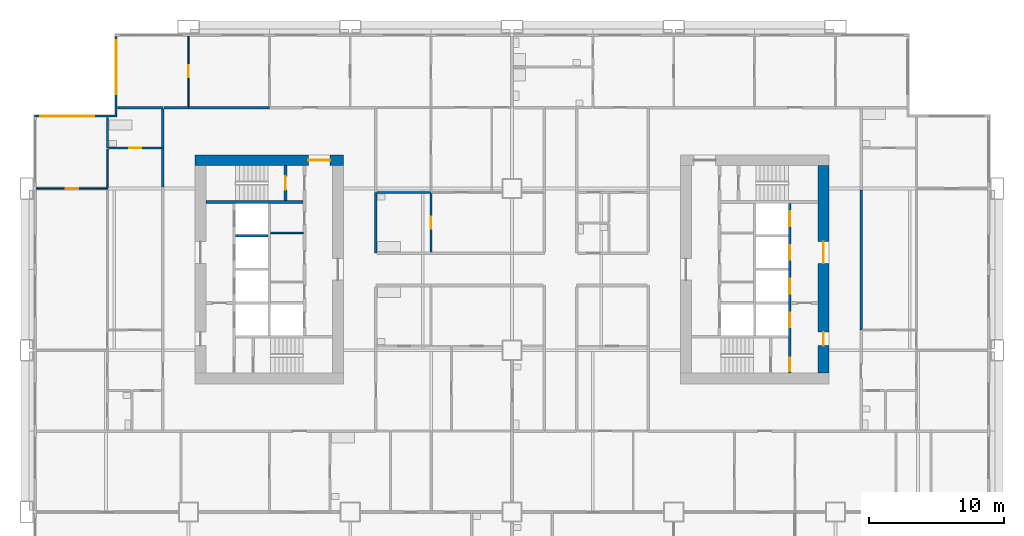
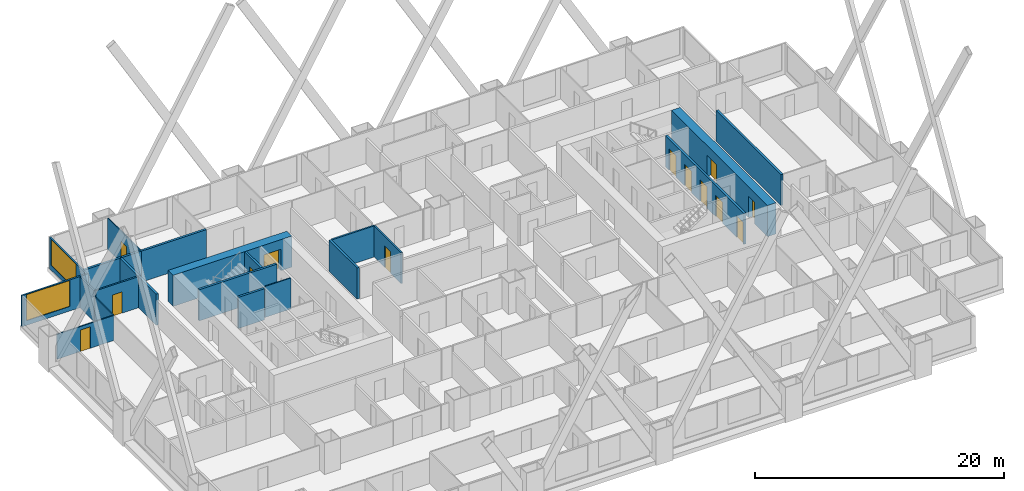
# One storey, part 7 of 13: 23 walls, 13 doors, 2 windows, 15 openings.
"""IFC4 building model written with IfcOpenShell, lengths in metres."""

from ifc_helpers import new_model, si_unit, direction, frame, frame_2d, origin, place, context, subcontext, project, spatial, rectangle, extrude, material, layer, layer_set, type_object, element, fill, save


model = new_model("IFC4")

# Units and contexts
model_context = context("Model", 3, precision=1e-05, world=origin(), true_north=direction((0.0, 1.0)))
body_context = subcontext(model_context, "Body", "Model", "MODEL_VIEW")
ifc_project = project(units=[si_unit("LENGTHUNIT", "METRE"), si_unit("AREAUNIT", "SQUARE_METRE"), si_unit("VOLUMEUNIT", "CUBIC_METRE"), si_unit("PLANEANGLEUNIT", "RADIAN"), si_unit("MASSUNIT", "GRAM", prefix="KILO")], contexts=[model_context])

# Site, building, storey
site_placement = place(None, origin())
site = spatial("IfcSite", under=ifc_project, at=site_placement, CompositionType="ELEMENT")
building_placement = place(site_placement, origin())
building = spatial("IfcBuilding", under=site, at=building_placement, Name="Kitamizu Gate Tower and Museum", CompositionType="ELEMENT")
storey_placement = place(building_placement, frame((0.0, 0.0, 71.39990234375)))
storey = spatial("IfcBuildingStorey", under=building, at=storey_placement, Name="L17", CompositionType="ELEMENT", Elevation=71.39990234375)

# Wall, opening, door
ifc_material_1 = material(Name="Concrete Fc60", Category="concrete")
ifc_layer_1 = layer(ifc_material_1, 0.800048828125)
ifc_layer_set_1 = layer_set([ifc_layer_1], Name="Concrete Fc60")
wall_type_1 = type_object("IfcWallType", Name="Core wall 800", PredefinedType="SHEAR", material=ifc_layer_set_1)
wall_1_placement = place(storey_placement, frame((12.5, 38.10009765625, 0.0), z_axis=(0.0, 0.0, 1.0), x_axis=(1.0, 0.0, 0.0)))
wall_1 = element("IfcWall", 1, at=wall_1_placement, inside=storey, type_object=wall_type_1, Name="Core wall WN", PredefinedType="SHEAR", context=body_context, shape_type="SweptSolid", body=[
    extrude(rectangle(XDim=11.0, YDim=0.800048828125, at=frame_2d((5.5, 0.0))), origin(), (0.0, 0.0, 1.0), 3.050048828125),
])
opening_1_placement = place(wall_1_placement, frame((8.39990234375, 0.0, 0.0)))
opening_1 = element("IfcOpeningElement", 2, at=opening_1_placement, cuts=wall_1, Name="Opening L17-078", PredefinedType="OPENING", context=body_context, shape_type="SweptSolid", body=[
    extrude(rectangle(XDim=1.60009765625, YDim=2.10009765625, at=frame_2d((0.800048828125, 1.050048828125))), frame((0.0, 0.41015625, 0.0), z_axis=(0.0, -1.0, 0.0), x_axis=(1.0, 0.0, 0.0)), (0.0, 0.0, 1.0), 0.820068359375),
])
ifc_material_2 = material(Name="Timber door set", Category="wood")
door_type_1 = type_object("IfcDoorType", Name="Entrance door 1600", OperationType="DOUBLE_DOOR_SINGLE_SWING", PredefinedType="DOOR", material=ifc_material_2)
door_1_placement = place(opening_1_placement, origin())
door_1 = element("IfcDoor", 3, at=door_1_placement, inside=storey, type_object=door_type_1, Name="Lobby door L17-078", OperationType="DOUBLE_DOOR_SINGLE_SWING", OverallHeight=2.10009765625, OverallWidth=1.60009765625, PredefinedType="DOOR", context=body_context, shape_type="SweptSolid", body=[
    extrude(rectangle(XDim=1.60009765625, YDim=2.10009765625, at=frame_2d((0.800048828125, 1.050048828125))), frame((0.0, 0.02490234375, 0.0), z_axis=(0.0, -1.0, 0.0), x_axis=(1.0, 0.0, 0.0)), (0.0, 0.0, 1.0), 0.050048828125),
])
fill(opening_1, door_1)

# Wall, openings, doors
wall_2_placement = place(storey_placement, frame((59.10009765625, 22.300048828125, 0.0), z_axis=(0.0, 0.0, 1.0), x_axis=(0.0, 1.0, 0.0)))
wall_2 = element("IfcWall", 4, at=wall_2_placement, inside=storey, type_object=wall_type_1, Name="Core wall EOUT", PredefinedType="SHEAR", context=body_context, shape_type="SweptSolid", body=[
    extrude(rectangle(XDim=15.39990234375, YDim=0.800048828125, at=frame_2d((7.699951171875, 0.0))), origin(), (0.0, 0.0, 1.0), 3.050048828125),
])
opening_2_placement = place(wall_2_placement, frame((8.14990234375, 0.0, 0.0)))
opening_2 = element("IfcOpeningElement", 5, at=opening_2_placement, cuts=wall_2, Name="Opening L17-088", PredefinedType="OPENING", context=body_context, shape_type="SweptSolid", body=[
    extrude(rectangle(XDim=1.60009765625, YDim=2.10009765625, at=frame_2d((0.800048828125, 1.050048828125))), frame((0.0, 0.41015625, 0.0), z_axis=(0.0, -1.0, 0.0), x_axis=(1.0, 0.0, 0.0)), (0.0, 0.0, 1.0), 0.820068359375),
])
opening_3_placement = place(wall_2_placement, frame((2.050048828125, 0.0, 0.0)))
opening_3 = element("IfcOpeningElement", 6, at=opening_3_placement, cuts=wall_2, Name="Opening L17-089", PredefinedType="OPENING", context=body_context, shape_type="SweptSolid", body=[
    extrude(rectangle(XDim=1.0, YDim=2.10009765625, at=frame_2d((0.5, 1.050048828125))), frame((0.0, 0.41015625, 0.0), z_axis=(0.0, -1.0, 0.0), x_axis=(1.0, 0.0, 0.0)), (0.0, 0.0, 1.0), 0.820068359375),
])
door_2_placement = place(opening_2_placement, origin())
door_2 = element("IfcDoor", 7, at=door_2_placement, inside=storey, type_object=door_type_1, Name="Lobby door L17-088", OperationType="DOUBLE_DOOR_SINGLE_SWING", OverallHeight=2.10009765625, OverallWidth=1.60009765625, PredefinedType="DOOR", context=body_context, shape_type="SweptSolid", body=[
    extrude(rectangle(XDim=1.60009765625, YDim=2.10009765625, at=frame_2d((0.800048828125, 1.050048828125))), frame((0.0, 0.02490234375, 0.0), z_axis=(0.0, -1.0, 0.0), x_axis=(1.0, 0.0, 0.0)), (0.0, 0.0, 1.0), 0.050048828125),
])
fill(opening_2, door_2)
ifc_material_3 = material(Name="Hollow metal door set")
door_type_2 = type_object("IfcDoorType", Name="Fire door 1000", OperationType="NOTDEFINED", PredefinedType="DOOR", material=ifc_material_3)
door_3_placement = place(opening_3_placement, origin())
door_3 = element("IfcDoor", 8, at=door_3_placement, inside=storey, type_object=door_type_2, Name="Fire-fighting lobby door L17-089", OperationType="SINGLE_SWING_RIGHT", OverallHeight=2.10009765625, OverallWidth=1.0, PredefinedType="DOOR", context=body_context, shape_type="SweptSolid", body=[
    extrude(rectangle(XDim=1.0, YDim=2.10009765625, at=frame_2d((0.5, 1.050048828125))), frame((0.0, 0.02490234375, 0.0), z_axis=(0.0, -1.0, 0.0), x_axis=(1.0, 0.0, 0.0)), (0.0, 0.0, 1.0), 0.050048828125),
])
fill(opening_3, door_3)

# Wall
ifc_material_4 = material(Name="Gypsum board on galvanised stud")
ifc_layer_2 = layer(ifc_material_4, 0.10009765625)
ifc_layer_set_2 = layer_set([ifc_layer_2], Name="Gypsum board on galvanised stud")
wall_type_2 = type_object("IfcWallType", Name="Partition 100", PredefinedType="PARTITIONING", material=ifc_layer_set_2)
wall_3_placement = place(storey_placement, frame((18.10009765625, 32.7099609375, 0.0), z_axis=(0.0, 0.0, 1.0), x_axis=(1.0, 0.0, 0.0)))
element("IfcWall", 9, at=wall_3_placement, inside=storey, type_object=wall_type_2, Name="Partition WPF2", PredefinedType="PARTITIONING", context=body_context, shape_type="SweptSolid", body=[
    extrude(rectangle(XDim=2.39990234375, YDim=0.10009765625, at=frame_2d((1.199951171875, 0.0))), origin(), (0.0, 0.0, 1.0), 3.050048828125),
])

# Wall, opening, door
ifc_material_5 = material(Name="Gypsum board on galvanised stud")
ifc_layer_3 = layer(ifc_material_5, 0.10009765625)
ifc_layer_set_3 = layer_set([ifc_layer_3], Name="Gypsum board on galvanised stud")
wall_type_3 = type_object("IfcWallType", Name="Partition 100 NOT RATED", PredefinedType="PARTITIONING", material=ifc_layer_set_3)
wall_4_placement = place(storey_placement, frame((6.0, 36.0, 0.0), z_axis=(0.0, 0.0, 1.0), x_axis=(-1.0, 0.0, 0.0)))
wall_4 = element("IfcWall", 10, at=wall_4_placement, inside=storey, type_object=wall_type_3, Name="Partition L17-057", PredefinedType="PARTITIONING", context=body_context, shape_type="SweptSolid", body=[
    extrude(rectangle(XDim=5.280029296875, YDim=0.10009765625, at=frame_2d((2.64013671875, 0.0))), origin(), (0.0, 0.0, 1.0), 2.4501953125),
])
opening_4_placement = place(wall_4_placement, frame((2.18994140625, 0.0, 0.0)))
opening_4 = element("IfcOpeningElement", 11, at=opening_4_placement, cuts=wall_4, Name="Opening L17-022", PredefinedType="OPENING", context=body_context, shape_type="SweptSolid", body=[
    extrude(rectangle(XDim=0.89990234375, YDim=2.10009765625, at=frame_2d((0.449951171875, 1.050048828125))), frame((0.0, 0.06005859375, 0.0), z_axis=(0.0, -1.0, 0.0), x_axis=(1.0, 0.0, 0.0)), (0.0, 0.0, 1.0), 0.1201171875),
])
ifc_material_6 = material(Name="Timber door set", Category="wood")
door_type_3 = type_object("IfcDoorType", Name="Room door 900", OperationType="NOTDEFINED", PredefinedType="DOOR", material=ifc_material_6)
door_4_placement = place(opening_4_placement, frame((0.89990234375, 0.0, 0.0), x_axis=(-1.0, 0.0, 0.0)))
door_4 = element("IfcDoor", 12, at=door_4_placement, inside=storey, type_object=door_type_3, Name="Door L17-022", OperationType="SINGLE_SWING_RIGHT", OverallHeight=2.10009765625, OverallWidth=0.89990234375, PredefinedType="DOOR", context=body_context, shape_type="SweptSolid", body=[
    extrude(rectangle(XDim=0.89990234375, YDim=2.10009765625, at=frame_2d((0.449951171875, 1.050048828125))), frame((0.0, 0.02490234375, 0.0), z_axis=(0.0, -1.0, 0.0), x_axis=(1.0, 0.0, 0.0)), (0.0, 0.0, 1.0), 0.050048828125),
])
fill(opening_4, door_4)

# Wall
wall_5_placement = place(storey_placement, frame((6.0, 36.050048828125, 0.0), z_axis=(0.0, 0.0, 1.0), x_axis=(0.0, 1.0, 0.0)))
element("IfcWall", 13, at=wall_5_placement, inside=storey, type_object=wall_type_3, Name="Partition L17-060", PredefinedType="PARTITIONING", context=body_context, shape_type="SweptSolid", body=[
    extrude(rectangle(XDim=2.875, YDim=0.10009765625, at=frame_2d((1.4375, 0.0))), origin(), (0.0, 0.0, 1.0), 2.4501953125),
])

# Wall, opening, door
wall_6_placement = place(storey_placement, frame((12.0, 42.10009765625, 0.0), z_axis=(0.0, 0.0, 1.0), x_axis=(0.0, 1.0, 0.0)))
wall_6 = element("IfcWall", 14, at=wall_6_placement, inside=storey, type_object=wall_type_3, Name="Partition L17-140", PredefinedType="PARTITIONING", context=body_context, shape_type="SweptSolid", body=[
    extrude(rectangle(XDim=5.179931640625, YDim=0.10009765625, at=frame_2d((2.58984375, 0.0))), origin(), (0.0, 0.0, 1.0), 3.050048828125),
])
opening_5_placement = place(wall_6_placement, frame((2.139892578125, 0.0, 0.0)))
opening_5 = element("IfcOpeningElement", 15, at=opening_5_placement, cuts=wall_6, Name="Opening L17-059", PredefinedType="OPENING", context=body_context, shape_type="SweptSolid", body=[
    extrude(rectangle(XDim=0.89990234375, YDim=2.10009765625, at=frame_2d((0.449951171875, 1.050048828125))), frame((0.0, 0.06005859375, 0.0), z_axis=(0.0, -1.0, 0.0), x_axis=(1.0, 0.0, 0.0)), (0.0, 0.0, 1.0), 0.1201171875),
])
door_5_placement = place(opening_5_placement, origin())
door_5 = element("IfcDoor", 16, at=door_5_placement, inside=storey, type_object=door_type_3, Name="Door L17-059", OperationType="SINGLE_SWING_RIGHT", OverallHeight=2.10009765625, OverallWidth=0.89990234375, PredefinedType="DOOR", context=body_context, shape_type="SweptSolid", body=[
    extrude(rectangle(XDim=0.89990234375, YDim=2.10009765625, at=frame_2d((0.449951171875, 1.050048828125))), frame((0.0, 0.02490234375, 0.0), z_axis=(0.0, -1.0, 0.0), x_axis=(1.0, 0.0, 0.0)), (0.0, 0.0, 1.0), 0.050048828125),
])
fill(opening_5, door_5)

# Wall
ifc_material_7 = material(Name="Gypsum board on galvanised stud")
ifc_layer_4 = layer(ifc_material_7, 0.14990234375)
ifc_layer_set_4 = layer_set([ifc_layer_4], Name="Gypsum board on galvanised stud")
wall_type_4 = type_object("IfcWallType", Name="Partition 150", PredefinedType="PARTITIONING", material=ifc_layer_set_4)
wall_7_placement = place(storey_placement, frame((6.0, 39.0, 0.0), z_axis=(0.0, 0.0, 1.0), x_axis=(0.0, 1.0, 0.0)))
element("IfcWall", 17, at=wall_7_placement, inside=storey, type_object=wall_type_4, Name="Partition L17-061", PredefinedType="PARTITIONING", context=body_context, shape_type="SweptSolid", body=[
    extrude(rectangle(XDim=2.280029296875, YDim=0.14990234375, at=frame_2d((1.14013671875, 0.0))), origin(), (0.0, 0.0, 1.0), 3.050048828125),
])

# Wall, opening, door
wall_8_placement = place(storey_placement, frame((10.0, 39.0, 0.0), z_axis=(0.0, 0.0, 1.0), x_axis=(-1.0, 0.0, 0.0)))
wall_8 = element("IfcWall", 18, at=wall_8_placement, inside=storey, type_object=wall_type_4, Name="Partition L17-069", PredefinedType="PARTITIONING", context=body_context, shape_type="SweptSolid", body=[
    extrude(rectangle(XDim=3.925048828125, YDim=0.14990234375, at=frame_2d((1.96240234375, 0.0))), origin(), (0.0, 0.0, 1.0), 3.050048828125),
])
opening_6_placement = place(wall_8_placement, frame((1.512451171875, 0.0, 0.0)))
opening_6 = element("IfcOpeningElement", 19, at=opening_6_placement, cuts=wall_8, Name="Opening L17-025", PredefinedType="OPENING", context=body_context, shape_type="SweptSolid", body=[
    extrude(rectangle(XDim=0.89990234375, YDim=2.10009765625, at=frame_2d((0.449951171875, 1.050048828125))), frame((0.0, 0.0849609375, 0.0), z_axis=(0.0, -1.0, 0.0), x_axis=(1.0, 0.0, 0.0)), (0.0, 0.0, 1.0), 0.169921875),
])
ifc_material_8 = material(Name="Timber door set", Category="wood")
door_type_4 = type_object("IfcDoorType", Name="Bathroom door 900", OperationType="NOTDEFINED", PredefinedType="DOOR", material=ifc_material_8)
door_6_placement = place(opening_6_placement, frame((0.89990234375, 0.0, 0.0), x_axis=(-1.0, 0.0, 0.0)))
door_6 = element("IfcDoor", 20, at=door_6_placement, inside=storey, type_object=door_type_4, Name="Bathroom door L17-025", OperationType="SINGLE_SWING_LEFT", OverallHeight=2.10009765625, OverallWidth=0.89990234375, PredefinedType="DOOR", context=body_context, shape_type="SweptSolid", body=[
    extrude(rectangle(XDim=0.89990234375, YDim=2.10009765625, at=frame_2d((0.449951171875, 1.050048828125))), frame((0.0, 0.02490234375, 0.0), z_axis=(0.0, -1.0, 0.0), x_axis=(1.0, 0.0, 0.0)), (0.0, 0.0, 1.0), 0.050048828125),
])
fill(opening_6, door_6)

# Wall
wall_9_placement = place(storey_placement, frame((26.0, 35.699951171875, 0.0), z_axis=(0.0, 0.0, 1.0), x_axis=(1.0, 0.0, 0.0)))
element("IfcWall", 21, at=wall_9_placement, inside=storey, type_object=wall_type_4, Name="Partition L17-155", PredefinedType="PARTITIONING", context=body_context, shape_type="SweptSolid", body=[
    extrude(rectangle(XDim=4.0, YDim=0.14990234375, at=frame_2d((2.0, 0.0))), origin(), (0.0, 0.0, 1.0), 3.050048828125),
])

# Wall, opening, door
wall_10_placement = place(storey_placement, frame((30.0, 31.300048828125, 0.0), z_axis=(0.0, 0.0, 1.0), x_axis=(0.0, 1.0, 0.0)))
wall_10 = element("IfcWall", 22, at=wall_10_placement, inside=storey, type_object=wall_type_4, Name="Partition L17-165", PredefinedType="PARTITIONING", context=body_context, shape_type="SweptSolid", body=[
    extrude(rectangle(XDim=4.324951171875, YDim=0.14990234375, at=frame_2d((2.16259765625, 0.0))), origin(), (0.0, 0.0, 1.0), 3.050048828125),
])
opening_7_placement = place(wall_10_placement, frame((1.71240234375, 0.0, 0.0)))
opening_7 = element("IfcOpeningElement", 23, at=opening_7_placement, cuts=wall_10, Name="Opening L17-060", PredefinedType="OPENING", context=body_context, shape_type="SweptSolid", body=[
    extrude(rectangle(XDim=0.89990234375, YDim=2.10009765625, at=frame_2d((0.449951171875, 1.050048828125))), frame((0.0, 0.0849609375, 0.0), z_axis=(0.0, -1.0, 0.0), x_axis=(1.0, 0.0, 0.0)), (0.0, 0.0, 1.0), 0.169921875),
])
door_7_placement = place(opening_7_placement, origin())
door_7 = element("IfcDoor", 24, at=door_7_placement, inside=storey, type_object=door_type_4, Name="Bathroom door L17-060", OperationType="SINGLE_SWING_LEFT", OverallHeight=2.10009765625, OverallWidth=0.89990234375, PredefinedType="DOOR", context=body_context, shape_type="SweptSolid", body=[
    extrude(rectangle(XDim=0.89990234375, YDim=2.10009765625, at=frame_2d((0.449951171875, 1.050048828125))), frame((0.0, 0.02490234375, 0.0), z_axis=(0.0, -1.0, 0.0), x_axis=(1.0, 0.0, 0.0)), (0.0, 0.0, 1.0), 0.050048828125),
])
fill(opening_7, door_7)

# Walls
ifc_material_9 = material(Name="Gypsum board on galvanised stud")
ifc_layer_5 = layer(ifc_material_9, 0.199951171875)
ifc_layer_set_5 = layer_set([ifc_layer_5], Name="Gypsum board on galvanised stud")
wall_type_5 = type_object("IfcWallType", Name="Partition 200", PredefinedType="PARTITIONING", material=ifc_layer_set_5)
wall_11_placement = place(storey_placement, frame((10.10009765625, 36.10009765625, 0.0), z_axis=(0.0, 0.0, 1.0), x_axis=(0.0, 1.0, 0.0)))
element("IfcWall", 25, at=wall_11_placement, inside=storey, type_object=wall_type_5, Name="Partition L17-071", PredefinedType="PARTITIONING", context=body_context, shape_type="SweptSolid", body=[
    extrude(rectangle(XDim=2.89990234375, YDim=0.199951171875, at=frame_2d((1.449951171875, 0.0))), origin(), (0.0, 0.0, 1.0), 3.050048828125),
])
wall_12_placement = place(storey_placement, frame((10.10009765625, 42.0, 0.0), z_axis=(0.0, 0.0, 1.0), x_axis=(-1.0, 0.0, 0.0)))
element("IfcWall", 26, at=wall_12_placement, inside=storey, type_object=wall_type_5, Name="Partition L17-072", PredefinedType="PARTITIONING", context=body_context, shape_type="SweptSolid", body=[
    extrude(rectangle(XDim=3.380126953125, YDim=0.199951171875, at=frame_2d((1.68994140625, 0.0))), origin(), (0.0, 0.0, 1.0), 3.050048828125),
])
wall_13_placement = place(storey_placement, frame((10.10009765625, 39.0, 0.0), z_axis=(0.0, 0.0, 1.0), x_axis=(0.0, 1.0, 0.0)))
element("IfcWall", 27, at=wall_13_placement, inside=storey, type_object=wall_type_5, Name="Partition L17-073", PredefinedType="PARTITIONING", context=body_context, shape_type="SweptSolid", body=[
    extrude(rectangle(XDim=2.89990234375, YDim=0.199951171875, at=frame_2d((1.449951171875, 0.0))), origin(), (0.0, 0.0, 1.0), 3.050048828125),
])
wall_14_placement = place(storey_placement, frame((61.89990234375, 35.89990234375, 0.0), z_axis=(0.0, 0.0, 1.0), x_axis=(0.0, -1.0, 0.0)))
element("IfcWall", 28, at=wall_14_placement, inside=storey, type_object=wall_type_5, Name="Partition L17-137", PredefinedType="PARTITIONING", context=body_context, shape_type="SweptSolid", body=[
    extrude(rectangle(XDim=10.39990234375, YDim=0.199951171875, at=frame_2d((5.199951171875, 0.0))), origin(), (0.0, 0.0, 1.0), 3.050048828125),
])
wall_15_placement = place(storey_placement, frame((10.199951171875, 42.0, 0.0), z_axis=(0.0, 0.0, 1.0), x_axis=(1.0, 0.0, 0.0)))
element("IfcWall", 29, at=wall_15_placement, inside=storey, type_object=wall_type_5, Name="Partition L17-141", PredefinedType="PARTITIONING", context=body_context, shape_type="SweptSolid", body=[
    extrude(rectangle(XDim=1.800048828125, YDim=0.199951171875, at=frame_2d((0.89990234375, 0.0))), origin(), (0.0, 0.0, 1.0), 3.050048828125),
])
wall_16_placement = place(storey_placement, frame((12.0, 42.0, 0.0), z_axis=(0.0, 0.0, 1.0), x_axis=(1.0, 0.0, 0.0)))
element("IfcWall", 30, at=wall_16_placement, inside=storey, type_object=wall_type_5, Name="Partition L17-143", PredefinedType="PARTITIONING", context=body_context, shape_type="SweptSolid", body=[
    extrude(rectangle(XDim=6.0, YDim=0.199951171875, at=frame_2d((3.0, 0.0))), origin(), (0.0, 0.0, 1.0), 3.050048828125),
])
wall_17_placement = place(storey_placement, frame((25.89990234375, 35.699951171875, 0.0), z_axis=(0.0, 0.0, 1.0), x_axis=(0.0, -1.0, 0.0)))
element("IfcWall", 31, at=wall_17_placement, inside=storey, type_object=wall_type_5, Name="Partition L17-166", PredefinedType="PARTITIONING", context=body_context, shape_type="SweptSolid", body=[
    extrude(rectangle(XDim=4.5, YDim=0.199951171875, at=frame_2d((2.25, 0.0))), origin(), (0.0, 0.0, 1.0), 3.050048828125),
])
ifc_material_10 = material(Name="Concrete Fc42", Category="concrete")
ifc_layer_6 = layer(ifc_material_10, 0.199951171875)
ifc_layer_set_6 = layer_set([ifc_layer_6], Name="Concrete Fc42")
wall_type_6 = type_object("IfcWallType", Name="Shaft wall 200", PredefinedType="SOLIDWALL", material=ifc_layer_set_6)
wall_18_placement = place(storey_placement, frame((13.300048828125, 35.0, 0.0), z_axis=(0.0, 0.0, 1.0), x_axis=(1.0, 0.0, 0.0)))
element("IfcWall", 32, at=wall_18_placement, inside=storey, type_object=wall_type_6, Name="Shaft wall WNB", PredefinedType="SOLIDWALL", context=body_context, shape_type="SweptSolid", body=[
    extrude(rectangle(XDim=7.199951171875, YDim=0.199951171875, at=frame_2d((3.60009765625, 0.0))), origin(), (0.0, 0.0, 1.0), 3.050048828125),
])

# Wall, opening, door
wall_19_placement = place(storey_placement, frame((19.199951171875, 35.10009765625, 0.0), z_axis=(0.0, 0.0, 1.0), x_axis=(0.0, 1.0, 0.0)))
wall_19 = element("IfcWall", 33, at=wall_19_placement, inside=storey, type_object=wall_type_6, Name="Shaft wall WNZ", PredefinedType="SOLIDWALL", context=body_context, shape_type="SweptSolid", body=[
    extrude(rectangle(XDim=2.599853515625, YDim=0.199951171875, at=frame_2d((1.2998046875, 0.0))), origin(), (0.0, 0.0, 1.0), 3.050048828125),
])
opening_8_placement = place(wall_19_placement, frame((0.800048828125, 0.0, 0.0)))
opening_8 = element("IfcOpeningElement", 34, at=opening_8_placement, cuts=wall_19, Name="Opening L17-074", PredefinedType="OPENING", context=body_context, shape_type="SweptSolid", body=[
    extrude(rectangle(XDim=1.0, YDim=2.10009765625, at=frame_2d((0.5, 1.050048828125))), frame((0.0, 0.10986328125, 0.0), z_axis=(0.0, -1.0, 0.0), x_axis=(1.0, 0.0, 0.0)), (0.0, 0.0, 1.0), 0.219970703125),
])
door_8_placement = place(opening_8_placement, origin())
door_8 = element("IfcDoor", 35, at=door_8_placement, inside=storey, type_object=door_type_2, Name="Stair door L17-074", OperationType="SINGLE_SWING_LEFT", OverallHeight=2.10009765625, OverallWidth=1.0, PredefinedType="DOOR", context=body_context, shape_type="SweptSolid", body=[
    extrude(rectangle(XDim=1.0, YDim=2.10009765625, at=frame_2d((0.5, 1.050048828125))), frame((0.0, 0.02490234375, 0.0), z_axis=(0.0, -1.0, 0.0), x_axis=(1.0, 0.0, 0.0)), (0.0, 0.0, 1.0), 0.050048828125),
])
fill(opening_8, door_8)

# Wall
wall_20_placement = place(storey_placement, frame((15.5, 32.5, 0.0), z_axis=(0.0, 0.0, 1.0), x_axis=(1.0, 0.0, 0.0)))
element("IfcWall", 36, at=wall_20_placement, inside=storey, type_object=wall_type_6, Name="Shaft wall WDVW2", PredefinedType="SOLIDWALL", context=body_context, shape_type="SweptSolid", body=[
    extrude(rectangle(XDim=2.39990234375, YDim=0.199951171875, at=frame_2d((1.199951171875, 0.0))), origin(), (0.0, 0.0, 1.0), 3.050048828125),
])

# Wall, openings, doors
wall_21_placement = place(storey_placement, frame((56.60009765625, 22.300048828125, 0.0), z_axis=(0.0, 0.0, 1.0), x_axis=(0.0, 1.0, 0.0)))
wall_21 = element("IfcWall", 37, at=wall_21_placement, inside=storey, type_object=wall_type_6, Name="Shaft wall EWEST", PredefinedType="SOLIDWALL", context=body_context, shape_type="SweptSolid", body=[
    extrude(rectangle(XDim=12.599853515625, YDim=0.199951171875, at=frame_2d((6.2998046875, 0.0))), origin(), (0.0, 0.0, 1.0), 3.050048828125),
])
opening_9_placement = place(wall_21_placement, frame((3.39990234375, 0.0, 0.0)))
opening_9 = element("IfcOpeningElement", 38, at=opening_9_placement, cuts=wall_21, Name="Opening LD", PredefinedType="OPENING", context=body_context, shape_type="SweptSolid", body=[
    extrude(rectangle(XDim=1.10009765625, YDim=2.10009765625, at=frame_2d((0.550048828125, 1.050048828125))), frame((0.0, 0.10986328125, 0.0), z_axis=(0.0, -1.0, 0.0), x_axis=(1.0, 0.0, 0.0)), (0.0, 0.0, 1.0), 0.219970703125),
])
opening_10_placement = place(wall_21_placement, frame((5.89990234375, 0.0, 0.0)))
opening_10 = element("IfcOpeningElement", 39, at=opening_10_placement, cuts=wall_21, Name="Opening LD", PredefinedType="OPENING", context=body_context, shape_type="SweptSolid", body=[
    extrude(rectangle(XDim=1.10009765625, YDim=2.10009765625, at=frame_2d((0.550048828125, 1.050048828125))), frame((0.0, 0.10986328125, 0.0), z_axis=(0.0, -1.0, 0.0), x_axis=(1.0, 0.0, 0.0)), (0.0, 0.0, 1.0), 0.219970703125),
])
opening_11_placement = place(wall_21_placement, frame((8.39990234375, 0.0, 0.0)))
opening_11 = element("IfcOpeningElement", 40, at=opening_11_placement, cuts=wall_21, Name="Opening LD", PredefinedType="OPENING", context=body_context, shape_type="SweptSolid", body=[
    extrude(rectangle(XDim=1.10009765625, YDim=2.10009765625, at=frame_2d((0.550048828125, 1.050048828125))), frame((0.0, 0.10986328125, 0.0), z_axis=(0.0, -1.0, 0.0), x_axis=(1.0, 0.0, 0.0)), (0.0, 0.0, 1.0), 0.219970703125),
])
opening_12_placement = place(wall_21_placement, frame((10.89990234375, 0.0, 0.0)))
opening_12 = element("IfcOpeningElement", 41, at=opening_12_placement, cuts=wall_21, Name="Opening LD", PredefinedType="OPENING", context=body_context, shape_type="SweptSolid", body=[
    extrude(rectangle(XDim=1.10009765625, YDim=2.10009765625, at=frame_2d((0.550048828125, 1.050048828125))), frame((0.0, 0.10986328125, 0.0), z_axis=(0.0, -1.0, 0.0), x_axis=(1.0, 0.0, 0.0)), (0.0, 0.0, 1.0), 0.219970703125),
])
opening_13_placement = place(wall_21_placement, frame((0.14990234375, 0.0, 0.0)))
opening_13 = element("IfcOpeningElement", 42, at=opening_13_placement, cuts=wall_21, Name="Opening L17-084", PredefinedType="OPENING", context=body_context, shape_type="SweptSolid", body=[
    extrude(rectangle(XDim=1.0, YDim=2.10009765625, at=frame_2d((0.5, 1.050048828125))), frame((0.0, 0.10986328125, 0.0), z_axis=(0.0, -1.0, 0.0), x_axis=(1.0, 0.0, 0.0)), (0.0, 0.0, 1.0), 0.219970703125),
])
door_9_placement = place(opening_13_placement, origin())
door_9 = element("IfcDoor", 43, at=door_9_placement, inside=storey, type_object=door_type_2, Name="Stair lobby door L17-084", OperationType="SINGLE_SWING_RIGHT", OverallHeight=2.10009765625, OverallWidth=1.0, PredefinedType="DOOR", context=body_context, shape_type="SweptSolid", body=[
    extrude(rectangle(XDim=1.0, YDim=2.10009765625, at=frame_2d((0.5, 1.050048828125))), frame((0.0, 0.02490234375, 0.0), z_axis=(0.0, -1.0, 0.0), x_axis=(1.0, 0.0, 0.0)), (0.0, 0.0, 1.0), 0.050048828125),
])
fill(opening_13, door_9)
ifc_material_11 = material(Name="Hollow metal door set")
door_type_5 = type_object("IfcDoorType", Name="Landing door 1100", OperationType="SLIDING_TO_LEFT", PredefinedType="DOOR", material=ifc_material_11)
door_10_placement = place(opening_9_placement, origin())
door_10 = element("IfcDoor", 44, at=door_10_placement, inside=storey, type_object=door_type_5, Name="Landing door EFF1", OperationType="SLIDING_TO_LEFT", OverallHeight=2.10009765625, OverallWidth=1.10009765625, PredefinedType="DOOR", context=body_context, shape_type="SweptSolid", body=[
    extrude(rectangle(XDim=1.10009765625, YDim=2.10009765625, at=frame_2d((0.550048828125, 1.050048828125))), frame((0.0, 0.02490234375, 0.0), z_axis=(0.0, -1.0, 0.0), x_axis=(1.0, 0.0, 0.0)), (0.0, 0.0, 1.0), 0.050048828125),
])
fill(opening_9, door_10)
door_11_placement = place(opening_10_placement, origin())
door_11 = element("IfcDoor", 45, at=door_11_placement, inside=storey, type_object=door_type_5, Name="Landing door EL1", OperationType="SLIDING_TO_LEFT", OverallHeight=2.10009765625, OverallWidth=1.10009765625, PredefinedType="DOOR", context=body_context, shape_type="SweptSolid", body=[
    extrude(rectangle(XDim=1.10009765625, YDim=2.10009765625, at=frame_2d((0.550048828125, 1.050048828125))), frame((0.0, 0.02490234375, 0.0), z_axis=(0.0, -1.0, 0.0), x_axis=(1.0, 0.0, 0.0)), (0.0, 0.0, 1.0), 0.050048828125),
])
fill(opening_10, door_11)
door_12_placement = place(opening_11_placement, origin())
door_12 = element("IfcDoor", 46, at=door_12_placement, inside=storey, type_object=door_type_5, Name="Landing door EL2", OperationType="SLIDING_TO_LEFT", OverallHeight=2.10009765625, OverallWidth=1.10009765625, PredefinedType="DOOR", context=body_context, shape_type="SweptSolid", body=[
    extrude(rectangle(XDim=1.10009765625, YDim=2.10009765625, at=frame_2d((0.550048828125, 1.050048828125))), frame((0.0, 0.02490234375, 0.0), z_axis=(0.0, -1.0, 0.0), x_axis=(1.0, 0.0, 0.0)), (0.0, 0.0, 1.0), 0.050048828125),
])
fill(opening_11, door_12)
door_13_placement = place(opening_12_placement, origin())
door_13 = element("IfcDoor", 47, at=door_13_placement, inside=storey, type_object=door_type_5, Name="Landing door EL3", OperationType="SLIDING_TO_LEFT", OverallHeight=2.10009765625, OverallWidth=1.10009765625, PredefinedType="DOOR", context=body_context, shape_type="SweptSolid", body=[
    extrude(rectangle(XDim=1.10009765625, YDim=2.10009765625, at=frame_2d((0.550048828125, 1.050048828125))), frame((0.0, 0.02490234375, 0.0), z_axis=(0.0, -1.0, 0.0), x_axis=(1.0, 0.0, 0.0)), (0.0, 0.0, 1.0), 0.050048828125),
])
fill(opening_12, door_13)

# Wall, opening, window
ifc_material_12 = material(Name="Bronze anodised aluminium frame with insulated spandrel and tinted glass", Category="aluminium")
ifc_layer_7 = layer(ifc_material_12, 0.14990234375)
ifc_layer_set_7 = layer_set([ifc_layer_7], Name="Bronze anodised aluminium frame with insulated spandrel and tinted glass")
wall_type_7 = type_object("IfcWallType", Name="WINDOW WALL 150 BRONZE FRAME EI 30", PredefinedType="ELEMENTEDWALL", material=ifc_layer_set_7)
wall_22_placement = place(storey_placement, frame((6.635009765625, 41.43994140625, 0.0), z_axis=(0.0, 0.0, 1.0), x_axis=(0.0, 1.0, 0.0)))
wall_22 = element("IfcWall", 48, at=wall_22_placement, inside=storey, type_object=wall_type_7, Name="Window wall west L17", PredefinedType="ELEMENTEDWALL", context=body_context, shape_type="SweptSolid", body=[
    extrude(rectangle(XDim=5.85009765625, YDim=0.14990234375, at=frame_2d((2.925048828125, 0.0))), origin(), (0.0, 0.0, 1.0), 3.050048828125),
])
opening_14_placement = place(wall_22_placement, frame((1.56005859375, 0.0, 0.449951171875)))
opening_14 = element("IfcOpeningElement", 49, at=opening_14_placement, cuts=wall_22, Name="Opening W16", PredefinedType="OPENING", context=body_context, shape_type="SweptSolid", body=[
    extrude(rectangle(XDim=4.0, YDim=2.550048828125, at=frame_2d((2.0, 1.27490234375))), frame((0.0, 0.0849609375, 0.0), z_axis=(0.0, -1.0, 0.0), x_axis=(1.0, 0.0, 0.0)), (0.0, 0.0, 1.0), 0.169921875),
])
ifc_material_13 = material(Name="Bronze anodised aluminium frame, tinted triple glazing", Category="aluminium")
window_type = type_object("IfcWindowType", Name="WINDOW 4000 x 2550 SILL 450", PartitioningType="SINGLE_PANEL", PredefinedType="WINDOW", material=ifc_material_13)
window_1_placement = place(opening_14_placement, origin())
window_1 = element("IfcWindow", 50, at=window_1_placement, inside=storey, type_object=window_type, Name="Window W16 L17", OverallHeight=2.550048828125, OverallWidth=4.0, PartitioningType="SINGLE_PANEL", PredefinedType="WINDOW", context=body_context, shape_type="SweptSolid", body=[
    extrude(rectangle(XDim=4.0, YDim=2.550048828125, at=frame_2d((2.0, 1.27490234375))), frame((0.0, 0.030029296875, 0.0), z_axis=(0.0, -1.0, 0.0), x_axis=(1.0, 0.0, 0.0)), (0.0, 0.0, 1.0), 0.06005859375),
])
fill(opening_14, window_1)

wall_23_placement = place(storey_placement, frame((0.56005859375, 41.364990234375, 0.0), z_axis=(0.0, 0.0, 1.0), x_axis=(1.0, 0.0, 0.0)))
wall_23 = element("IfcWall", 51, at=wall_23_placement, inside=storey, type_object=wall_type_7, Name="Window wall north L17", PredefinedType="ELEMENTEDWALL", context=body_context, shape_type="SweptSolid", body=[
    extrude(rectangle(XDim=6.14990234375, YDim=0.14990234375, at=frame_2d((3.074951171875, 0.0))), origin(), (0.0, 0.0, 1.0), 3.050048828125),
])
opening_15_placement = place(wall_23_placement, frame((0.43994140625, 0.0, 0.449951171875)))
opening_15 = element("IfcOpeningElement", 52, at=opening_15_placement, cuts=wall_23, Name="Opening W16", PredefinedType="OPENING", context=body_context, shape_type="SweptSolid", body=[
    extrude(rectangle(XDim=4.0, YDim=2.550048828125, at=frame_2d((2.0, 1.27490234375))), frame((0.0, 0.0849609375, 0.0), z_axis=(0.0, -1.0, 0.0), x_axis=(1.0, 0.0, 0.0)), (0.0, 0.0, 1.0), 0.169921875),
])
window_2_placement = place(opening_15_placement, origin())
window_2 = element("IfcWindow", 53, at=window_2_placement, inside=storey, type_object=window_type, Name="Window W16 L17", OverallHeight=2.550048828125, OverallWidth=4.0, PartitioningType="SINGLE_PANEL", PredefinedType="WINDOW", context=body_context, shape_type="SweptSolid", body=[
    extrude(rectangle(XDim=4.0, YDim=2.550048828125, at=frame_2d((2.0, 1.27490234375))), frame((0.0, 0.030029296875, 0.0), z_axis=(0.0, -1.0, 0.0), x_axis=(1.0, 0.0, 0.0)), (0.0, 0.0, 1.0), 0.06005859375),
])
fill(opening_15, window_2)

save(model, "model.ifc")
